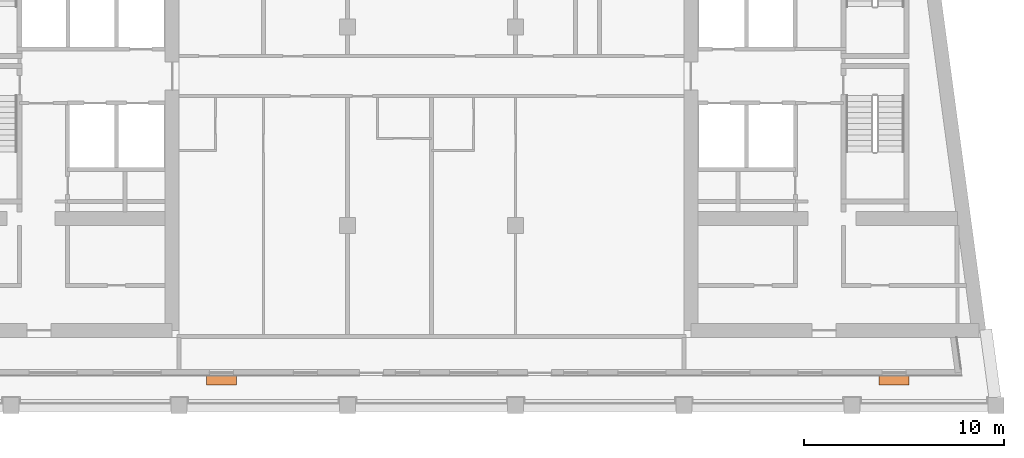
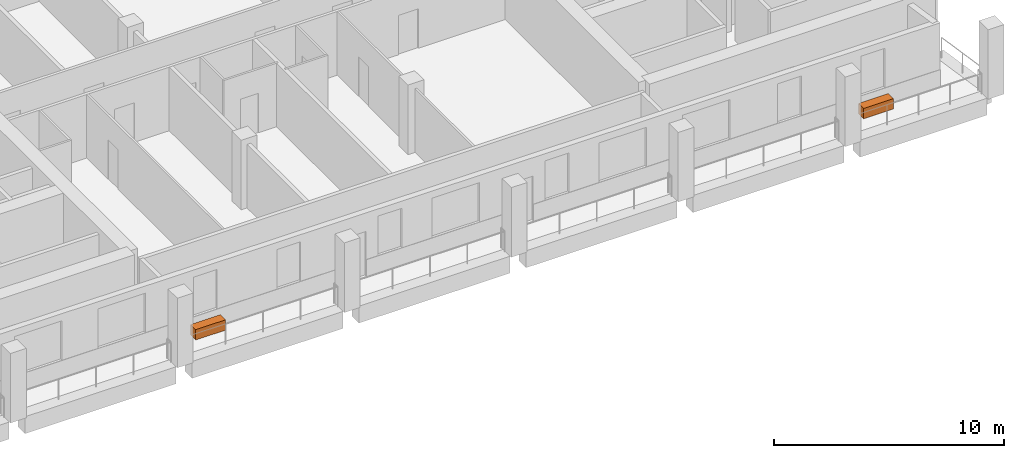
# One storey, part 14 of 14: 2 proxies.
"""IFC4 building model written with IfcOpenShell, lengths in metres."""

from ifc_helpers import new_model, si_unit, direction, frame, origin, origin_2d, place, context, subcontext, project, spatial, rectangle, extrude, element, save


model = new_model("IFC4")

# Units and contexts
model_context = context("Model", 3, precision=1e-05, world=origin(), true_north=direction((0.0, 1.0)))
body_context = subcontext(model_context, "Body", "Model", "MODEL_VIEW")
ifc_project = project(units=[si_unit("LENGTHUNIT", "METRE"), si_unit("AREAUNIT", "SQUARE_METRE"), si_unit("VOLUMEUNIT", "CUBIC_METRE"), si_unit("PLANEANGLEUNIT", "RADIAN"), si_unit("MASSUNIT", "GRAM", prefix="KILO")], contexts=[model_context])

# Site, building, storey
site_placement = place(None, origin())
site = spatial("IfcSite", under=ifc_project, at=site_placement, CompositionType="ELEMENT")
building_placement = place(site_placement, origin())
building = spatial("IfcBuilding", under=site, at=building_placement, Name="Candeia Pilgrim Tower and Theatre", CompositionType="ELEMENT")
storey_placement = place(building_placement, frame((0.0, 0.0, 266.39990234375)))
storey = spatial("IfcBuildingStorey", under=building, at=storey_placement, Name="L64", CompositionType="ELEMENT", Elevation=266.39990234375)

# Proxies
for number, where, z_axis, x_axis, name in (
    (1, (102.89990234375, 108.2548828125, 0.0), (0.0, 0.0, 1.0), (1.0, 0.0, 0.0), "Planter"),
    (2, (136.5, 108.2548828125, 0.0), (0.0, 0.0, 1.0), (1.0, 0.0, 0.0), "Planter"),
):
    element("IfcBuildingElementProxy", number, at=place(storey_placement, frame(where, z_axis=z_axis, x_axis=x_axis)), inside=storey, Name=name, ObjectType="PLANTER", PredefinedType="USERDEFINED", context=body_context, shape_type="SweptSolid", body=[
        extrude(rectangle(XDim=1.5, YDim=0.449951171875, at=origin_2d()), origin(), (0.0, 0.0, 1.0), 0.550048828125),
    ])

save(model, "model.ifc")
